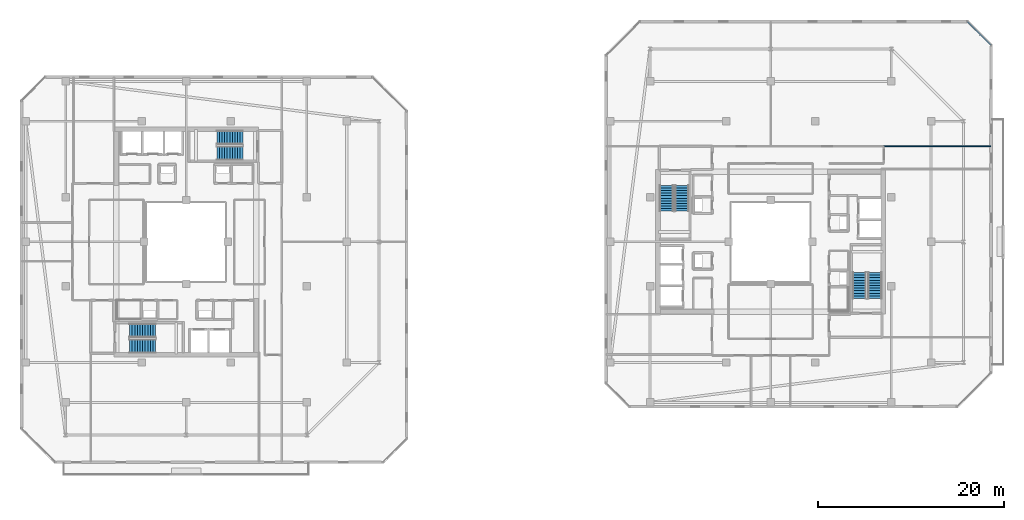
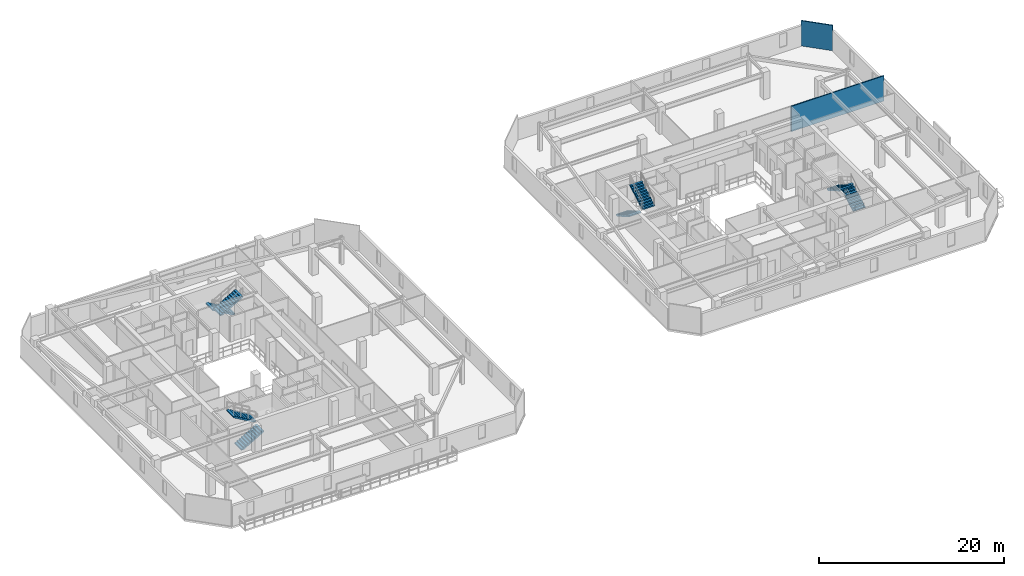
# One storey, part 28 of 34: 8 stair flights, 2 walls, 4 elements without a shape of their own.
"""IFC4 building model written with IfcOpenShell, lengths in metres."""

from ifc_helpers import new_model, si_unit, direction, frame, frame_2d, origin, place, context, subcontext, project, spatial, polyline, rectangle, outline, extrude, material, layer, layer_set, type_object, element, aggregate, save


model = new_model("IFC4")

# Units and contexts
model_context = context("Model", 3, precision=1e-05, world=origin(), true_north=direction((0.0, 1.0)))
body_context = subcontext(model_context, "Body", "Model", "MODEL_VIEW")
ifc_project = project(units=[si_unit("LENGTHUNIT", "METRE"), si_unit("AREAUNIT", "SQUARE_METRE"), si_unit("VOLUMEUNIT", "CUBIC_METRE"), si_unit("PLANEANGLEUNIT", "RADIAN"), si_unit("MASSUNIT", "GRAM", prefix="KILO")], contexts=[model_context])

# Site, building, storey
site_placement = place(None, origin())
site = spatial("IfcSite", under=ifc_project, at=site_placement, CompositionType="ELEMENT")
building_placement = place(site_placement, origin())
building = spatial("IfcBuilding", under=site, at=building_placement, Name="Thornwick Lancets Civic Towers", CompositionType="ELEMENT")
storey_placement = place(building_placement, frame((0.0, 0.0, 261.89990234375)))
storey = spatial("IfcBuildingStorey", under=building, at=storey_placement, Name="L70", CompositionType="ELEMENT", Elevation=261.89990234375)

# Walls
ifc_material_1 = material(Name="Acoustic gypsum board partition")
ifc_layer = layer(ifc_material_1, 0.1201171875, Name="Acoustic gypsum board partition")
ifc_layer_set = layer_set([ifc_layer], Name="Acoustic gypsum board partition")
wall_type = type_object("IfcWallType", Name="WALL_PART_120", PredefinedType="PARTITIONING", material=ifc_layer_set)
wall_1_placement = place(storey_placement, frame((100.699951171875, 37.300048828125, 0.0), z_axis=(0.0, 0.0, 1.0), x_axis=(1.0, 0.0, 0.0)))
element("IfcWall", 1, at=wall_1_placement, inside=storey, type_object=wall_type, Name="L70 Partition L70-B-RECLAIM-L E4", PredefinedType="PARTITIONING", context=body_context, shape_type="SweptSolid", body=[
    extrude(rectangle(XDim=11.52001953125, YDim=0.1201171875, at=frame_2d((5.760009765625, 0.0))), origin(), (0.0, 0.0, 1.0), 3.340087890625),
])
wall_2_placement = place(storey_placement, frame((109.725341796875, 50.719970703125, 0.0), z_axis=(0.0, 0.0, 1.0), x_axis=(0.707106781187, -0.707106781187, 0.0)))
element("IfcWall", 2, at=wall_2_placement, inside=storey, type_object=wall_type, Name="L70 Partition L70-B-E1 E4", PredefinedType="PARTITIONING", context=body_context, shape_type="SweptSolid", body=[
    extrude(rectangle(XDim=3.52783203125, YDim=0.1201171875, at=frame_2d((1.763916015625, 0.0))), origin(), (0.0, 0.0, 1.0), 3.340087890625),
])

# Stair, stair flights
ifc_material_2 = material(Name="Concrete C40/50", Category="concrete")
stair_type = type_object("IfcStairType", Name="STAIR_DL_3600", PredefinedType="HALF_TURN_STAIR", material=ifc_material_2)
stair_1_placement = place(storey_placement, origin())
stair_1 = element("IfcStair", 3, at=stair_1_placement, inside=storey, type_object=stair_type, Name="L70 Tower A South Exit Stair ST-A1", PredefinedType="HALF_TURN_STAIR")
stair_flight_type = type_object("IfcStairFlightType", Name="FLIGHT_3600", PredefinedType="STRAIGHT", material=ifc_material_2)
stair_flight_1_placement = place(storey_placement, frame((19.39990234375, 15.75, 0.0), z_axis=(0.0, 0.0, 1.0), x_axis=(1.0, 0.0, 0.0)))
stair_flight_1 = element("IfcStairFlight", 4, at=stair_flight_1_placement, type_object=stair_flight_type, Name="ST-A1 flight 1", NumberOfRisers=11, NumberOfTreads=10, PredefinedType="STRAIGHT", RiserHeight=0.163636364, TreadLength=0.28, context=body_context, shape_type="SweptSolid", body=[
    extrude(outline(polyline([(0.0, 0.0), (0.0, 0.16357421875), (0.280029296875, 0.16357421875), (0.280029296875, 0.327392578125), (0.56005859375, 0.327392578125), (0.56005859375, 0.490966796875), (0.840087890625, 0.490966796875), (0.840087890625, 0.654541015625), (1.1201171875, 0.654541015625), (1.1201171875, 0.818115234375), (1.39990234375, 0.818115234375), (1.39990234375, 0.98193359375), (1.679931640625, 0.98193359375), (1.679931640625, 1.1455078125), (1.9599609375, 1.1455078125), (1.9599609375, 1.30908203125), (2.239990234375, 1.30908203125), (2.239990234375, 1.47265625), (2.52001953125, 1.47265625), (2.52001953125, 1.636474609375), (2.800048828125, 1.636474609375), (2.800048828125, 1.800048828125), (2.800048828125, 1.462646484375), (0.297119140625, 0.0), (0.0, 0.0)])), frame((0.0, 0.75, 0.0), z_axis=(0.0, -1.0, 0.0), x_axis=(1.0, 0.0, 0.0)), (0.0, 0.0, 1.0), 1.5),
])
stair_flight_2_placement = place(storey_placement, frame((22.199951171875, 17.449951171875, 1.800048828125), z_axis=(0.0, 0.0, 1.0), x_axis=(-1.0, 0.0, 0.0)))
stair_flight_2 = element("IfcStairFlight", 5, at=stair_flight_2_placement, type_object=stair_flight_type, Name="ST-A1 flight 2", NumberOfRisers=11, NumberOfTreads=10, PredefinedType="STRAIGHT", RiserHeight=0.163636364, TreadLength=0.28, context=body_context, shape_type="SweptSolid", body=[
    extrude(outline(polyline([(0.0, 0.0), (0.0, 0.16357421875), (0.280029296875, 0.16357421875), (0.280029296875, 0.327392578125), (0.56005859375, 0.327392578125), (0.56005859375, 0.490966796875), (0.840087890625, 0.490966796875), (0.840087890625, 0.654541015625), (1.1201171875, 0.654541015625), (1.1201171875, 0.818115234375), (1.39990234375, 0.818115234375), (1.39990234375, 0.98193359375), (1.679931640625, 0.98193359375), (1.679931640625, 1.1455078125), (1.9599609375, 1.1455078125), (1.9599609375, 1.30908203125), (2.239990234375, 1.30908203125), (2.239990234375, 1.47265625), (2.52001953125, 1.47265625), (2.52001953125, 1.636474609375), (2.800048828125, 1.636474609375), (2.800048828125, 1.800048828125), (2.800048828125, 1.462646484375), (0.297119140625, 0.0), (0.0, 0.0)])), frame((0.0, 0.75, 0.0), z_axis=(0.0, -1.0, 0.0), x_axis=(1.0, 0.0, 0.0)), (0.0, 0.0, 1.0), 1.5),
])
aggregate(stair_1, [stair_flight_1, stair_flight_2])

stair_2_placement = place(storey_placement, origin())
stair_2 = element("IfcStair", 6, at=stair_2_placement, inside=storey, type_object=stair_type, Name="L70 Tower A North Exit Stair ST-A2", PredefinedType="HALF_TURN_STAIR")
stair_flight_3_placement = place(storey_placement, frame((31.60009765625, 38.25, 0.0), z_axis=(0.0, 0.0, 1.0), x_axis=(-1.0, 0.0, 0.0)))
stair_flight_3 = element("IfcStairFlight", 7, at=stair_flight_3_placement, type_object=stair_flight_type, Name="ST-A2 flight 1", NumberOfRisers=11, NumberOfTreads=10, PredefinedType="STRAIGHT", RiserHeight=0.163636364, TreadLength=0.28, context=body_context, shape_type="SweptSolid", body=[
    extrude(outline(polyline([(0.0, 0.0), (0.0, 0.16357421875), (0.280029296875, 0.16357421875), (0.280029296875, 0.327392578125), (0.56005859375, 0.327392578125), (0.56005859375, 0.490966796875), (0.840087890625, 0.490966796875), (0.840087890625, 0.654541015625), (1.1201171875, 0.654541015625), (1.1201171875, 0.818115234375), (1.39990234375, 0.818115234375), (1.39990234375, 0.98193359375), (1.679931640625, 0.98193359375), (1.679931640625, 1.1455078125), (1.9599609375, 1.1455078125), (1.9599609375, 1.30908203125), (2.239990234375, 1.30908203125), (2.239990234375, 1.47265625), (2.52001953125, 1.47265625), (2.52001953125, 1.636474609375), (2.800048828125, 1.636474609375), (2.800048828125, 1.800048828125), (2.800048828125, 1.462646484375), (0.297119140625, 0.0), (0.0, 0.0)])), frame((0.0, 0.75, 0.0), z_axis=(0.0, -1.0, 0.0), x_axis=(1.0, 0.0, 0.0)), (0.0, 0.0, 1.0), 1.5),
])
stair_flight_4_placement = place(storey_placement, frame((28.800048828125, 36.550048828125, 1.800048828125), z_axis=(0.0, 0.0, 1.0), x_axis=(1.0, 0.0, 0.0)))
stair_flight_4 = element("IfcStairFlight", 8, at=stair_flight_4_placement, type_object=stair_flight_type, Name="ST-A2 flight 2", NumberOfRisers=11, NumberOfTreads=10, PredefinedType="STRAIGHT", RiserHeight=0.163636364, TreadLength=0.28, context=body_context, shape_type="SweptSolid", body=[
    extrude(outline(polyline([(0.0, 0.0), (0.0, 0.16357421875), (0.280029296875, 0.16357421875), (0.280029296875, 0.327392578125), (0.56005859375, 0.327392578125), (0.56005859375, 0.490966796875), (0.840087890625, 0.490966796875), (0.840087890625, 0.654541015625), (1.1201171875, 0.654541015625), (1.1201171875, 0.818115234375), (1.39990234375, 0.818115234375), (1.39990234375, 0.98193359375), (1.679931640625, 0.98193359375), (1.679931640625, 1.1455078125), (1.9599609375, 1.1455078125), (1.9599609375, 1.30908203125), (2.239990234375, 1.30908203125), (2.239990234375, 1.47265625), (2.52001953125, 1.47265625), (2.52001953125, 1.636474609375), (2.800048828125, 1.636474609375), (2.800048828125, 1.800048828125), (2.800048828125, 1.462646484375), (0.297119140625, 0.0), (0.0, 0.0)])), frame((0.0, 0.75, 0.0), z_axis=(0.0, -1.0, 0.0), x_axis=(1.0, 0.0, 0.0)), (0.0, 0.0, 1.0), 1.5),
])
aggregate(stair_2, [stair_flight_3, stair_flight_4])

stair_3_placement = place(storey_placement, origin())
stair_3 = element("IfcStair", 9, at=stair_3_placement, inside=storey, type_object=stair_type, Name="L70 Tower B East Exit Stair ST-B1", PredefinedType="HALF_TURN_STAIR")
stair_flight_5_placement = place(storey_placement, frame((99.75, 20.89990234375, 0.0), z_axis=(0.0, 0.0, 1.0), x_axis=(0.0, 1.0, 0.0)))
stair_flight_5 = element("IfcStairFlight", 10, at=stair_flight_5_placement, type_object=stair_flight_type, Name="ST-B1 flight 1", NumberOfRisers=11, NumberOfTreads=10, PredefinedType="STRAIGHT", RiserHeight=0.163636364, TreadLength=0.28, context=body_context, shape_type="SweptSolid", body=[
    extrude(outline(polyline([(0.0, 0.0), (0.0, 0.16357421875), (0.280029296875, 0.16357421875), (0.280029296875, 0.327392578125), (0.56005859375, 0.327392578125), (0.56005859375, 0.490966796875), (0.840087890625, 0.490966796875), (0.840087890625, 0.654541015625), (1.1201171875, 0.654541015625), (1.1201171875, 0.818115234375), (1.39990234375, 0.818115234375), (1.39990234375, 0.98193359375), (1.679931640625, 0.98193359375), (1.679931640625, 1.1455078125), (1.9599609375, 1.1455078125), (1.9599609375, 1.30908203125), (2.239990234375, 1.30908203125), (2.239990234375, 1.47265625), (2.52001953125, 1.47265625), (2.52001953125, 1.636474609375), (2.800048828125, 1.636474609375), (2.800048828125, 1.800048828125), (2.800048828125, 1.462646484375), (0.297119140625, 0.0), (0.0, 0.0)])), frame((0.0, 0.75, 0.0), z_axis=(0.0, -1.0, 0.0), x_axis=(1.0, 0.0, 0.0)), (0.0, 0.0, 1.0), 1.5),
])
stair_flight_6_placement = place(storey_placement, frame((98.050048828125, 23.699951171875, 1.800048828125), z_axis=(0.0, 0.0, 1.0), x_axis=(0.0, -1.0, 0.0)))
stair_flight_6 = element("IfcStairFlight", 11, at=stair_flight_6_placement, type_object=stair_flight_type, Name="ST-B1 flight 2", NumberOfRisers=11, NumberOfTreads=10, PredefinedType="STRAIGHT", RiserHeight=0.163636364, TreadLength=0.28, context=body_context, shape_type="SweptSolid", body=[
    extrude(outline(polyline([(0.0, 0.0), (0.0, 0.16357421875), (0.280029296875, 0.16357421875), (0.280029296875, 0.327392578125), (0.56005859375, 0.327392578125), (0.56005859375, 0.490966796875), (0.840087890625, 0.490966796875), (0.840087890625, 0.654541015625), (1.1201171875, 0.654541015625), (1.1201171875, 0.818115234375), (1.39990234375, 0.818115234375), (1.39990234375, 0.98193359375), (1.679931640625, 0.98193359375), (1.679931640625, 1.1455078125), (1.9599609375, 1.1455078125), (1.9599609375, 1.30908203125), (2.239990234375, 1.30908203125), (2.239990234375, 1.47265625), (2.52001953125, 1.47265625), (2.52001953125, 1.636474609375), (2.800048828125, 1.636474609375), (2.800048828125, 1.800048828125), (2.800048828125, 1.462646484375), (0.297119140625, 0.0), (0.0, 0.0)])), frame((0.0, 0.75, 0.0), z_axis=(0.0, -1.0, 0.0), x_axis=(1.0, 0.0, 0.0)), (0.0, 0.0, 1.0), 1.5),
])
aggregate(stair_3, [stair_flight_5, stair_flight_6])

stair_4_placement = place(storey_placement, origin())
stair_4 = element("IfcStair", 12, at=stair_4_placement, inside=storey, type_object=stair_type, Name="L70 Tower B West Exit Stair ST-B2", PredefinedType="HALF_TURN_STAIR")
stair_flight_7_placement = place(storey_placement, frame((77.25, 33.10009765625, 0.0), z_axis=(0.0, 0.0, 1.0), x_axis=(0.0, -1.0, 0.0)))
stair_flight_7 = element("IfcStairFlight", 13, at=stair_flight_7_placement, type_object=stair_flight_type, Name="ST-B2 flight 1", NumberOfRisers=11, NumberOfTreads=10, PredefinedType="STRAIGHT", RiserHeight=0.163636364, TreadLength=0.28, context=body_context, shape_type="SweptSolid", body=[
    extrude(outline(polyline([(0.0, 0.0), (0.0, 0.16357421875), (0.280029296875, 0.16357421875), (0.280029296875, 0.327392578125), (0.56005859375, 0.327392578125), (0.56005859375, 0.490966796875), (0.840087890625, 0.490966796875), (0.840087890625, 0.654541015625), (1.1201171875, 0.654541015625), (1.1201171875, 0.818115234375), (1.39990234375, 0.818115234375), (1.39990234375, 0.98193359375), (1.679931640625, 0.98193359375), (1.679931640625, 1.1455078125), (1.9599609375, 1.1455078125), (1.9599609375, 1.30908203125), (2.239990234375, 1.30908203125), (2.239990234375, 1.47265625), (2.52001953125, 1.47265625), (2.52001953125, 1.636474609375), (2.800048828125, 1.636474609375), (2.800048828125, 1.800048828125), (2.800048828125, 1.462646484375), (0.297119140625, 0.0), (0.0, 0.0)])), frame((0.0, 0.75, 0.0), z_axis=(0.0, -1.0, 0.0), x_axis=(1.0, 0.0, 0.0)), (0.0, 0.0, 1.0), 1.5),
])
stair_flight_8_placement = place(storey_placement, frame((78.949951171875, 30.300048828125, 1.800048828125), z_axis=(0.0, 0.0, 1.0), x_axis=(0.0, 1.0, 0.0)))
stair_flight_8 = element("IfcStairFlight", 14, at=stair_flight_8_placement, type_object=stair_flight_type, Name="ST-B2 flight 2", NumberOfRisers=11, NumberOfTreads=10, PredefinedType="STRAIGHT", RiserHeight=0.163636364, TreadLength=0.28, context=body_context, shape_type="SweptSolid", body=[
    extrude(outline(polyline([(0.0, 0.0), (0.0, 0.16357421875), (0.280029296875, 0.16357421875), (0.280029296875, 0.327392578125), (0.56005859375, 0.327392578125), (0.56005859375, 0.490966796875), (0.840087890625, 0.490966796875), (0.840087890625, 0.654541015625), (1.1201171875, 0.654541015625), (1.1201171875, 0.818115234375), (1.39990234375, 0.818115234375), (1.39990234375, 0.98193359375), (1.679931640625, 0.98193359375), (1.679931640625, 1.1455078125), (1.9599609375, 1.1455078125), (1.9599609375, 1.30908203125), (2.239990234375, 1.30908203125), (2.239990234375, 1.47265625), (2.52001953125, 1.47265625), (2.52001953125, 1.636474609375), (2.800048828125, 1.636474609375), (2.800048828125, 1.800048828125), (2.800048828125, 1.462646484375), (0.297119140625, 0.0), (0.0, 0.0)])), frame((0.0, 0.75, 0.0), z_axis=(0.0, -1.0, 0.0), x_axis=(1.0, 0.0, 0.0)), (0.0, 0.0, 1.0), 1.5),
])
aggregate(stair_4, [stair_flight_7, stair_flight_8])

save(model, "model.ifc")
